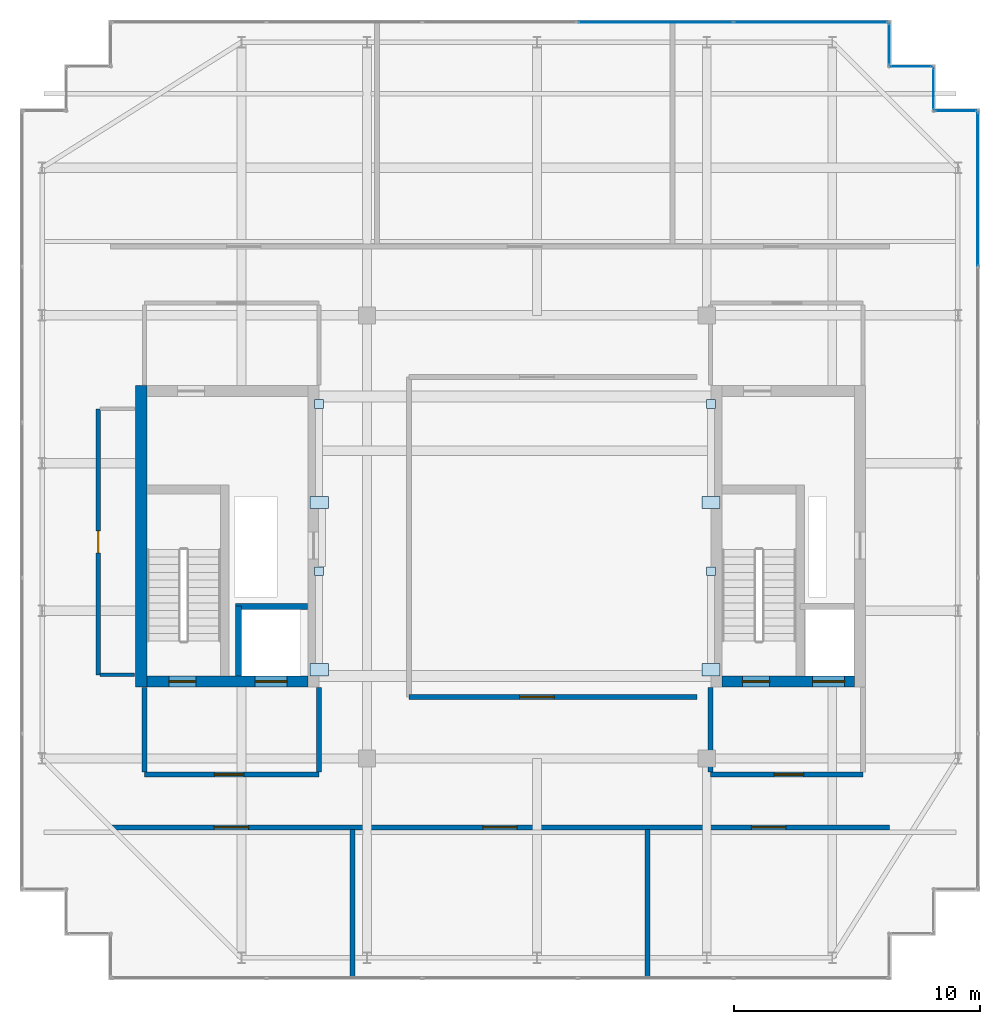
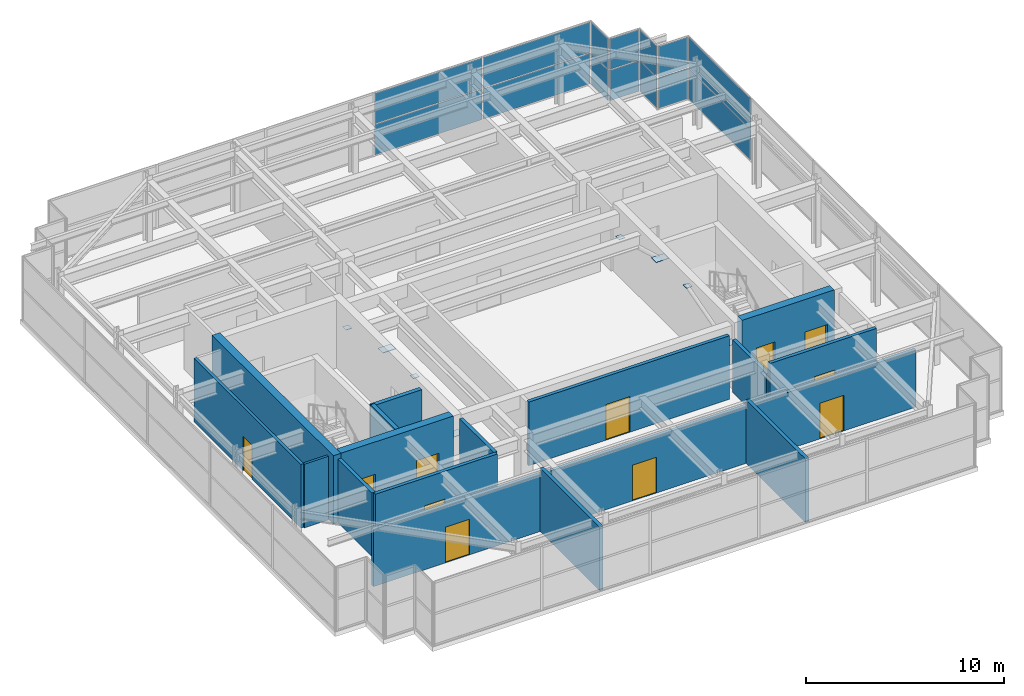
# One storey, part 30 of 32: 22 plates, 16 walls, 11 doors, 11 openings, 6 elements without a shape of their own.
"""IFC4 building model written with IfcOpenShell, lengths in metres."""

from ifc_helpers import new_model, si_unit, direction, frame, frame_2d, origin, origin_2d, place, context, subcontext, project, spatial, rectangle, extrude, source, transform, mapped, material, layer, layer_set, type_object, element, fill, aggregate, save


model = new_model("IFC4")

# Units and contexts
model_context = context("Model", 3, precision=1e-05, world=origin(), true_north=direction((0.0, 1.0)))
body_context = subcontext(model_context, "Body", "Model", "MODEL_VIEW")
ifc_project = project(units=[si_unit("LENGTHUNIT", "METRE"), si_unit("AREAUNIT", "SQUARE_METRE"), si_unit("VOLUMEUNIT", "CUBIC_METRE"), si_unit("PLANEANGLEUNIT", "RADIAN"), si_unit("MASSUNIT", "GRAM", prefix="KILO")], contexts=[model_context])

# Site, building, storey
site_placement = place(None, origin())
site = spatial("IfcSite", under=ifc_project, at=site_placement, CompositionType="ELEMENT")
building_placement = place(site_placement, origin())
building = spatial("IfcBuilding", under=site, at=building_placement, Name="Khoralis Quay Care Tower", CompositionType="ELEMENT")
storey_placement = place(building_placement, frame((0.0, 0.0, 306.300048828125)))
storey = spatial("IfcBuildingStorey", under=building, at=storey_placement, Name="L80", CompositionType="ELEMENT", Elevation=306.300048828125)

# Plates
ifc_material_1 = material(Name="Steel S355", Category="steel")
ifc_layer_1 = layer(ifc_material_1, 0.02001953125)
ifc_layer_set_1 = layer_set([ifc_layer_1], Name="Steel S355")
plate_type_1 = type_object("IfcPlateType", Name="PLT-CAP-350", PredefinedType="USERDEFINED", material=ifc_layer_set_1)
shared_shape_1 = source(origin(), body_context, "Body", "SweptSolid", [
    extrude(rectangle(XDim=0.35009765625, YDim=0.35009765625, at=origin_2d()), origin(), (0.0, 0.0, 1.0), 0.02001953125),
])
for number, where, z_axis, x_axis, name in (
    (1, (15.14794921875, 19.60009765625, 3.639892578125), (0.0, 0.0, 1.0), (1.0, 0.0, 0.0), "PLT-LNCP-L80-1"),
    (2, (15.14794921875, 26.39990234375, 2.510009765625), (0.0, 0.0, 1.0), (1.0, 0.0, 0.0), "PLT-LNCP-L80-2"),
    (3, (31.072021484375, 19.60009765625, 3.639892578125), (0.0, 0.0, 1.0), (1.0, 0.0, 0.0), "PLT-LNCP-L80-3"),
    (4, (31.072021484375, 26.39990234375, 2.510009765625), (0.0, 0.0, 1.0), (1.0, 0.0, 0.0), "PLT-LNCP-L80-4"),
):
    element("IfcPlate", number, at=place(storey_placement, frame(where, z_axis=z_axis, x_axis=x_axis)), inside=storey, type_object=plate_type_1, Name=name, ObjectType="BASE_PLATE", PredefinedType="USERDEFINED", context=body_context, shape_type="MappedRepresentation", body=[
        mapped(shared_shape_1, transform((0.0, 0.0, 0.0), scale=1.0)),
    ])
ifc_layer_2 = layer(ifc_material_1, 0.02490234375)
ifc_layer_set_2 = layer_set([ifc_layer_2], Name="Steel S355")
plate_type_2 = type_object("IfcPlateType", Name="PLT-NODE-LN1", PredefinedType="USERDEFINED", material=ifc_layer_set_2)
shared_shape_2 = source(origin(), body_context, "Body", "SweptSolid", [
    extrude(rectangle(XDim=0.75, YDim=0.5, at=origin_2d()), origin(), (0.0, 0.0, 1.0), 0.02490234375),
])
for number, where, z_axis, x_axis, name in (
    (5, (15.14794921875, 15.60009765625, 2.507568359375), (0.0, 0.0, 1.0), (1.0, 0.0, 0.0), "PLT-LN1-L80-1"),
    (6, (15.14794921875, 22.39990234375, 3.637451171875), (0.0, 0.0, 1.0), (1.0, 0.0, 0.0), "PLT-LN1-L80-2"),
    (7, (31.072021484375, 15.60009765625, 2.507568359375), (0.0, 0.0, 1.0), (1.0, 0.0, 0.0), "PLT-LN1-L80-3"),
    (8, (31.072021484375, 22.39990234375, 3.637451171875), (0.0, 0.0, 1.0), (1.0, 0.0, 0.0), "PLT-LN1-L80-4"),
):
    element("IfcPlate", number, at=place(storey_placement, frame(where, z_axis=z_axis, x_axis=x_axis)), inside=storey, type_object=plate_type_2, Name=name, ObjectType="GUSSET_PLATE", PredefinedType="USERDEFINED", context=body_context, shape_type="MappedRepresentation", body=[
        mapped(shared_shape_2, transform((0.0, 0.0, 0.0), scale=1.0)),
    ])

# Curtain wall, plates
ifc_material_2 = material(Name="Pale anodised aluminium", Category="aluminium")
ifc_layer_3 = layer(ifc_material_2, 0.199951171875)
ifc_layer_set_3 = layer_set([ifc_layer_3], Name="Pale anodised aluminium")
curtain_wall_type = type_object("IfcCurtainWallType", Name="CW-SYS-LANTERN", PredefinedType="NOTDEFINED", material=ifc_layer_set_3)
curtain_wall_1_placement = place(storey_placement, origin())
curtain_wall_1 = element("IfcCurtainWall", 9, at=curtain_wall_1_placement, inside=storey, type_object=curtain_wall_type, Name="L80 Unitised Curtain Wall CW-LN-L80-06", PredefinedType="NOTDEFINED")
ifc_material_3 = material(Name="Spandrel insulated shadow-box glass", Category="glass")
ifc_layer_4 = layer(ifc_material_3, 0.0439453125)
ifc_layer_set_4 = layer_set([ifc_layer_4], Name="Spandrel insulated shadow-box glass")
plate_type_3 = type_object("IfcPlateType", Name="PNL-SPN-44", PredefinedType="CURTAIN_PANEL", material=ifc_layer_set_4)
shared_shape_3 = source(origin(), body_context, "Body", "SweptSolid", [
    extrude(rectangle(XDim=6.23388671875, YDim=0.028076171875, at=origin_2d()), origin(), (0.0, 0.0, 1.0), 1.8701171875),
])
plate_1_placement = place(storey_placement, frame((41.909912109375, 35.133056640625, 0.059814453125), z_axis=(0.0, 0.0, 1.0), x_axis=(0.0, 1.0, 0.0)))
plate_1 = element("IfcPlate", 10, at=plate_1_placement, type_object=plate_type_3, Name="CW5 panel 5.1", PredefinedType="CURTAIN_PANEL", context=body_context, shape_type="MappedRepresentation", body=[
    mapped(shared_shape_3, transform((0.0, 0.0, 0.0), scale=1.0)),
])
plate_2_placement = place(storey_placement, frame((41.909912109375, 35.133056640625, 1.989990234375), z_axis=(0.0, 0.0, 1.0), x_axis=(0.0, 1.0, 0.0)))
plate_2 = element("IfcPlate", 11, at=plate_2_placement, type_object=plate_type_3, Name="CW5 panel 5.2", PredefinedType="CURTAIN_PANEL", context=body_context, shape_type="MappedRepresentation", body=[
    mapped(shared_shape_3, transform((0.0, 0.0, 0.0), scale=1.0)),
])
aggregate(curtain_wall_1, [plate_1, plate_2])

curtain_wall_2_placement = place(storey_placement, origin())
curtain_wall_2 = element("IfcCurtainWall", 12, at=curtain_wall_2_placement, inside=storey, type_object=curtain_wall_type, Name="L80 Unitised Curtain Wall CW-LN-L80-11", PredefinedType="NOTDEFINED")
plate_3_placement = place(storey_placement, frame((35.133056640625, 41.909912109375, 0.059814453125), z_axis=(0.0, 0.0, 1.0), x_axis=(-1.0, 0.0, 0.0)))
plate_3 = element("IfcPlate", 13, at=plate_3_placement, type_object=plate_type_3, Name="CW5 panel 1.1", PredefinedType="CURTAIN_PANEL", context=body_context, shape_type="MappedRepresentation", body=[
    mapped(shared_shape_3, transform((0.0, 0.0, 0.0), scale=1.0)),
])
plate_4_placement = place(storey_placement, frame((35.133056640625, 41.909912109375, 1.989990234375), z_axis=(0.0, 0.0, 1.0), x_axis=(-1.0, 0.0, 0.0)))
plate_4 = element("IfcPlate", 14, at=plate_4_placement, type_object=plate_type_3, Name="CW5 panel 1.2", PredefinedType="CURTAIN_PANEL", context=body_context, shape_type="MappedRepresentation", body=[
    mapped(shared_shape_3, transform((0.0, 0.0, 0.0), scale=1.0)),
])
shared_shape_4 = source(origin(), body_context, "Body", "SweptSolid", [
    extrude(rectangle(XDim=6.263916015625, YDim=0.028076171875, at=origin_2d()), origin(), (0.0, 0.0, 1.0), 1.8701171875),
])
plate_5_placement = place(storey_placement, frame((28.823974609375, 41.909912109375, 0.059814453125), z_axis=(0.0, 0.0, 1.0), x_axis=(-1.0, 0.0, 0.0)))
plate_5 = element("IfcPlate", 15, at=plate_5_placement, type_object=plate_type_3, Name="CW5 panel 2.1", PredefinedType="CURTAIN_PANEL", context=body_context, shape_type="MappedRepresentation", body=[
    mapped(shared_shape_4, transform((0.0, 0.0, 0.0), scale=1.0)),
])
plate_6_placement = place(storey_placement, frame((28.823974609375, 41.909912109375, 1.989990234375), z_axis=(0.0, 0.0, 1.0), x_axis=(-1.0, 0.0, 0.0)))
plate_6 = element("IfcPlate", 16, at=plate_6_placement, type_object=plate_type_3, Name="CW5 panel 2.2", PredefinedType="CURTAIN_PANEL", context=body_context, shape_type="MappedRepresentation", body=[
    mapped(shared_shape_4, transform((0.0, 0.0, 0.0), scale=1.0)),
])
aggregate(curtain_wall_2, [plate_3, plate_4, plate_5, plate_6])

curtain_wall_3_placement = place(storey_placement, origin())
curtain_wall_3 = element("IfcCurtainWall", 17, at=curtain_wall_3_placement, inside=storey, type_object=curtain_wall_type, Name="L80 Unitised Curtain Wall CW-LN-L80-07", PredefinedType="NOTDEFINED")
shared_shape_5 = source(origin(), body_context, "Body", "SweptSolid", [
    extrude(rectangle(XDim=1.679931640625, YDim=0.028076171875, at=origin_2d()), origin(), (0.0, 0.0, 1.0), 1.8701171875),
])
plate_7_placement = place(storey_placement, frame((41.010009765625, 38.31005859375, 0.059814453125), z_axis=(0.0, 0.0, 1.0), x_axis=(-1.0, 0.0, 0.0)))
plate_7 = element("IfcPlate", 18, at=plate_7_placement, type_object=plate_type_3, Name="CW5 panel 1.1", PredefinedType="CURTAIN_PANEL", context=body_context, shape_type="MappedRepresentation", body=[
    mapped(shared_shape_5, transform((0.0, 0.0, 0.0), scale=1.0)),
])
plate_8_placement = place(storey_placement, frame((41.010009765625, 38.31005859375, 1.989990234375), z_axis=(0.0, 0.0, 1.0), x_axis=(-1.0, 0.0, 0.0)))
plate_8 = element("IfcPlate", 19, at=plate_8_placement, type_object=plate_type_3, Name="CW5 panel 1.2", PredefinedType="CURTAIN_PANEL", context=body_context, shape_type="MappedRepresentation", body=[
    mapped(shared_shape_5, transform((0.0, 0.0, 0.0), scale=1.0)),
])
aggregate(curtain_wall_3, [plate_7, plate_8])

curtain_wall_4_placement = place(storey_placement, origin())
curtain_wall_4 = element("IfcCurtainWall", 20, at=curtain_wall_4_placement, inside=storey, type_object=curtain_wall_type, Name="L80 Unitised Curtain Wall CW-LN-L80-08", PredefinedType="NOTDEFINED")
plate_9_placement = place(storey_placement, frame((40.110107421875, 39.2099609375, 0.059814453125), z_axis=(0.0, 0.0, 1.0), x_axis=(0.0, 1.0, 0.0)))
plate_9 = element("IfcPlate", 21, at=plate_9_placement, type_object=plate_type_3, Name="CW5 panel 1.1", PredefinedType="CURTAIN_PANEL", context=body_context, shape_type="MappedRepresentation", body=[
    mapped(shared_shape_5, transform((0.0, 0.0, 0.0), scale=1.0)),
])
plate_10_placement = place(storey_placement, frame((40.110107421875, 39.2099609375, 1.989990234375), z_axis=(0.0, 0.0, 1.0), x_axis=(0.0, 1.0, 0.0)))
plate_10 = element("IfcPlate", 22, at=plate_10_placement, type_object=plate_type_3, Name="CW5 panel 1.2", PredefinedType="CURTAIN_PANEL", context=body_context, shape_type="MappedRepresentation", body=[
    mapped(shared_shape_5, transform((0.0, 0.0, 0.0), scale=1.0)),
])
aggregate(curtain_wall_4, [plate_9, plate_10])

curtain_wall_5_placement = place(storey_placement, origin())
curtain_wall_5 = element("IfcCurtainWall", 23, at=curtain_wall_5_placement, inside=storey, type_object=curtain_wall_type, Name="L80 Unitised Curtain Wall CW-LN-L80-09", PredefinedType="NOTDEFINED")
plate_11_placement = place(storey_placement, frame((39.2099609375, 40.110107421875, 0.059814453125), z_axis=(0.0, 0.0, 1.0), x_axis=(-1.0, 0.0, 0.0)))
plate_11 = element("IfcPlate", 24, at=plate_11_placement, type_object=plate_type_3, Name="CW5 panel 1.1", PredefinedType="CURTAIN_PANEL", context=body_context, shape_type="MappedRepresentation", body=[
    mapped(shared_shape_5, transform((0.0, 0.0, 0.0), scale=1.0)),
])
plate_12_placement = place(storey_placement, frame((39.2099609375, 40.110107421875, 1.989990234375), z_axis=(0.0, 0.0, 1.0), x_axis=(-1.0, 0.0, 0.0)))
plate_12 = element("IfcPlate", 25, at=plate_12_placement, type_object=plate_type_3, Name="CW5 panel 1.2", PredefinedType="CURTAIN_PANEL", context=body_context, shape_type="MappedRepresentation", body=[
    mapped(shared_shape_5, transform((0.0, 0.0, 0.0), scale=1.0)),
])
aggregate(curtain_wall_5, [plate_11, plate_12])

curtain_wall_6_placement = place(storey_placement, origin())
curtain_wall_6 = element("IfcCurtainWall", 26, at=curtain_wall_6_placement, inside=storey, type_object=curtain_wall_type, Name="L80 Unitised Curtain Wall CW-LN-L80-10", PredefinedType="NOTDEFINED")
plate_13_placement = place(storey_placement, frame((38.31005859375, 41.010009765625, 0.059814453125), z_axis=(0.0, 0.0, 1.0), x_axis=(0.0, 1.0, 0.0)))
plate_13 = element("IfcPlate", 27, at=plate_13_placement, type_object=plate_type_3, Name="CW5 panel 1.1", PredefinedType="CURTAIN_PANEL", context=body_context, shape_type="MappedRepresentation", body=[
    mapped(shared_shape_5, transform((0.0, 0.0, 0.0), scale=1.0)),
])
plate_14_placement = place(storey_placement, frame((38.31005859375, 41.010009765625, 1.989990234375), z_axis=(0.0, 0.0, 1.0), x_axis=(0.0, 1.0, 0.0)))
plate_14 = element("IfcPlate", 28, at=plate_14_placement, type_object=plate_type_3, Name="CW5 panel 1.2", PredefinedType="CURTAIN_PANEL", context=body_context, shape_type="MappedRepresentation", body=[
    mapped(shared_shape_5, transform((0.0, 0.0, 0.0), scale=1.0)),
])
aggregate(curtain_wall_6, [plate_13, plate_14])

# Wall, opening, door
ifc_material_4 = material(Name="Gypsum plasterboard on acoustic metal stud")
ifc_layer_5 = layer(ifc_material_4, 0.199951171875)
ifc_layer_set_5 = layer_set([ifc_layer_5], Name="Gypsum plasterboard on acoustic metal stud")
wall_type_1 = type_object("IfcWallType", Name="WL-COMP-200", PredefinedType="PARTITIONING", material=ifc_layer_set_5)
wall_1_placement = place(storey_placement, frame((8.050048828125, 11.35009765625, 0.0), z_axis=(0.0, 0.0, 1.0), x_axis=(1.0, 0.0, 0.0)))
wall_1 = element("IfcWall", 29, at=wall_1_placement, inside=storey, type_object=wall_type_1, Name="L80 West Firefighting Lobby South Wall", PredefinedType="PARTITIONING", context=body_context, shape_type="SweptSolid", body=[
    extrude(rectangle(XDim=7.099853515625, YDim=0.199951171875, at=frame_2d((3.5498046875, 0.0))), origin(), (0.0, 0.0, 1.0), 3.919921875),
])
opening_1_placement = place(wall_1_placement, frame((2.846435546875, 0.0, 0.0)))
opening_1 = element("IfcOpeningElement", 30, at=opening_1_placement, cuts=wall_1, Name="Opening FD1", PredefinedType="OPENING", context=body_context, shape_type="SweptSolid", body=[
    extrude(rectangle(XDim=1.199951171875, YDim=2.199951171875, at=frame_2d((0.60009765625, 1.10009765625))), frame((0.0, 0.10986328125, 0.0), z_axis=(0.0, -1.0, 0.0), x_axis=(1.0, 0.0, 0.0)), (0.0, 0.0, 1.0), 0.219970703125),
])
ifc_material_5 = material(Name="Fire-rated painted steel", Category="steel")
door_type_1 = type_object("IfcDoorType", Name="DR-FFL-1200X2200", OperationType="NOTDEFINED", PredefinedType="DOOR", material=ifc_material_5)
shared_shape_6 = source(origin(), body_context, "Body", "SweptSolid", [
    extrude(rectangle(XDim=1.199951171875, YDim=2.199951171875, at=frame_2d((0.60009765625, 1.10009765625))), frame((0.0, 0.02490234375, 0.0), z_axis=(0.0, -1.0, 0.0), x_axis=(1.0, 0.0, 0.0)), (0.0, 0.0, 1.0), 0.050048828125),
])
door_1_placement = place(opening_1_placement, origin())
door_1 = element("IfcDoor", 31, at=door_1_placement, inside=storey, type_object=door_type_1, Name="L80 West Firefighting Lobby Fire Door", OperationType="SINGLE_SWING_RIGHT", OverallHeight=2.199951171875, OverallWidth=1.199951171875, PredefinedType="DOOR", context=body_context, shape_type="MappedRepresentation", body=[
    mapped(shared_shape_6, transform((0.0, 0.0, 0.0), scale=1.0)),
])
fill(opening_1, door_1)

# Walls
for number, where, z_axis, x_axis, name in (
    (32, (8.050048828125, 11.445068359375, 0.0), (0.0, 0.0, 1.0), (0.0, 1.0, 0.0), "L80 West Firefighting Lobby West Wall"),
    (33, (15.14990234375, 11.445068359375, 0.0), (0.0, 0.0, 1.0), (0.0, 1.0, 0.0), "L80 West Firefighting Lobby East Wall"),
):
    element("IfcWall", number, at=place(storey_placement, frame(where, z_axis=z_axis, x_axis=x_axis)), inside=storey, type_object=wall_type_1, Name=name, PredefinedType="PARTITIONING", context=body_context, shape_type="SweptSolid", body=[
        extrude(rectangle(XDim=3.434814453125, YDim=0.199951171875, at=frame_2d((1.71728515625, 0.0))), origin(), (0.0, 0.0, 1.0), 3.919921875),
    ])

# Wall, opening, door
wall_2_placement = place(storey_placement, frame((31.050048828125, 11.35009765625, 0.0), z_axis=(0.0, 0.0, 1.0), x_axis=(1.0, 0.0, 0.0)))
wall_2 = element("IfcWall", 34, at=wall_2_placement, inside=storey, type_object=wall_type_1, Name="L80 East Firefighting Lobby South Wall", PredefinedType="PARTITIONING", context=body_context, shape_type="SweptSolid", body=[
    extrude(rectangle(XDim=6.199951171875, YDim=0.199951171875, at=frame_2d((3.10009765625, 0.0))), origin(), (0.0, 0.0, 1.0), 3.919921875),
])
opening_2_placement = place(wall_2_placement, frame((2.585693359375, 0.0, 0.0)))
opening_2 = element("IfcOpeningElement", 35, at=opening_2_placement, cuts=wall_2, Name="Opening FD1", PredefinedType="OPENING", context=body_context, shape_type="SweptSolid", body=[
    extrude(rectangle(XDim=1.199951171875, YDim=2.199951171875, at=frame_2d((0.60009765625, 1.10009765625))), frame((0.0, 0.10986328125, 0.0), z_axis=(0.0, -1.0, 0.0), x_axis=(1.0, 0.0, 0.0)), (0.0, 0.0, 1.0), 0.219970703125),
])
door_2_placement = place(opening_2_placement, origin())
door_2 = element("IfcDoor", 36, at=door_2_placement, inside=storey, type_object=door_type_1, Name="L80 East Firefighting Lobby Fire Door", OperationType="SINGLE_SWING_LEFT", OverallHeight=2.199951171875, OverallWidth=1.199951171875, PredefinedType="DOOR", context=body_context, shape_type="MappedRepresentation", body=[
    mapped(shared_shape_6, transform((0.0, 0.0, 0.0), scale=1.0)),
])
fill(opening_2, door_2)

# Wall
wall_3_placement = place(storey_placement, frame((31.050048828125, 11.445068359375, 0.0), z_axis=(0.0, 0.0, 1.0), x_axis=(0.0, 1.0, 0.0)))
element("IfcWall", 37, at=wall_3_placement, inside=storey, type_object=wall_type_1, Name="L80 East Firefighting Lobby West Wall", PredefinedType="PARTITIONING", context=body_context, shape_type="SweptSolid", body=[
    extrude(rectangle(XDim=3.434814453125, YDim=0.199951171875, at=frame_2d((1.71728515625, 0.0))), origin(), (0.0, 0.0, 1.0), 3.224853515625),
])

# Wall, openings, doors
wall_4_placement = place(storey_placement, frame((6.679931640625, 9.199951171875, 0.0), z_axis=(0.0, 0.0, 1.0), x_axis=(1.0, 0.0, 0.0)))
wall_4 = element("IfcWall", 38, at=wall_4_placement, inside=storey, type_object=wall_type_1, Name="L80 Plant Corridor South Wall", PredefinedType="PARTITIONING", context=body_context, shape_type="SweptSolid", body=[
    extrude(rectangle(XDim=31.64013671875, YDim=0.199951171875, at=frame_2d((15.820068359375, 0.0))), origin(), (0.0, 0.0, 1.0), 3.512939453125),
])
opening_3_placement = place(wall_4_placement, frame((4.2099609375, 0.0, 0.0)))
opening_3 = element("IfcOpeningElement", 39, at=opening_3_placement, cuts=wall_4, Name="Opening PD1", PredefinedType="OPENING", context=body_context, shape_type="SweptSolid", body=[
    extrude(rectangle(XDim=1.39990234375, YDim=2.199951171875, at=frame_2d((0.699951171875, 1.10009765625))), frame((0.0, 0.10986328125, 0.0), z_axis=(0.0, -1.0, 0.0), x_axis=(1.0, 0.0, 0.0)), (0.0, 0.0, 1.0), 0.219970703125),
])
opening_4_placement = place(wall_4_placement, frame((15.1201171875, 0.0, 0.0)))
opening_4 = element("IfcOpeningElement", 40, at=opening_4_placement, cuts=wall_4, Name="Opening PD1", PredefinedType="OPENING", context=body_context, shape_type="SweptSolid", body=[
    extrude(rectangle(XDim=1.39990234375, YDim=2.199951171875, at=frame_2d((0.699951171875, 1.10009765625))), frame((0.0, 0.10986328125, 0.0), z_axis=(0.0, -1.0, 0.0), x_axis=(1.0, 0.0, 0.0)), (0.0, 0.0, 1.0), 0.219970703125),
])
opening_5_placement = place(wall_4_placement, frame((26.030029296875, 0.0, 0.0)))
opening_5 = element("IfcOpeningElement", 41, at=opening_5_placement, cuts=wall_4, Name="Opening PD1", PredefinedType="OPENING", context=body_context, shape_type="SweptSolid", body=[
    extrude(rectangle(XDim=1.39990234375, YDim=2.199951171875, at=frame_2d((0.699951171875, 1.10009765625))), frame((0.0, 0.10986328125, 0.0), z_axis=(0.0, -1.0, 0.0), x_axis=(1.0, 0.0, 0.0)), (0.0, 0.0, 1.0), 0.219970703125),
])
door_type_2 = type_object("IfcDoorType", Name="DR-PLANT-1400X2200", OperationType="NOTDEFINED", PredefinedType="DOOR", material=ifc_material_5)
shared_shape_7 = source(origin(), body_context, "Body", "SweptSolid", [
    extrude(rectangle(XDim=1.39990234375, YDim=2.199951171875, at=frame_2d((0.699951171875, 1.10009765625))), frame((0.0, 0.02490234375, 0.0), z_axis=(0.0, -1.0, 0.0), x_axis=(1.0, 0.0, 0.0)), (0.0, 0.0, 1.0), 0.050048828125),
])
door_3_placement = place(opening_3_placement, frame((1.39990234375, 0.0, 0.0), z_axis=(0.0, 0.0, 1.0), x_axis=(-1.0, 0.0, 0.0)))
door_3 = element("IfcDoor", 42, at=door_3_placement, inside=storey, type_object=door_type_2, Name="L80 District Chiller Plant Room Plant Door", OperationType="DOUBLE_DOOR_SINGLE_SWING", OverallHeight=2.199951171875, OverallWidth=1.39990234375, PredefinedType="DOOR", context=body_context, shape_type="MappedRepresentation", body=[
    mapped(shared_shape_7, transform((0.0, 0.0, 0.0), scale=1.0)),
])
fill(opening_3, door_3)
door_4_placement = place(opening_4_placement, frame((1.39990234375, 0.0, 0.0), z_axis=(0.0, 0.0, 1.0), x_axis=(-1.0, 0.0, 0.0)))
door_4 = element("IfcDoor", 43, at=door_4_placement, inside=storey, type_object=door_type_2, Name="L80 Heat Recovery Plant Room Plant Door", OperationType="DOUBLE_DOOR_SINGLE_SWING", OverallHeight=2.199951171875, OverallWidth=1.39990234375, PredefinedType="DOOR", context=body_context, shape_type="MappedRepresentation", body=[
    mapped(shared_shape_7, transform((0.0, 0.0, 0.0), scale=1.0)),
])
fill(opening_4, door_4)
door_5_placement = place(opening_5_placement, frame((1.39990234375, 0.0, 0.0), z_axis=(0.0, 0.0, 1.0), x_axis=(-1.0, 0.0, 0.0)))
door_5 = element("IfcDoor", 44, at=door_5_placement, inside=storey, type_object=door_type_2, Name="L80 Domestic Water Tank Room Plant Door", OperationType="DOUBLE_DOOR_SINGLE_SWING", OverallHeight=2.199951171875, OverallWidth=1.39990234375, PredefinedType="DOOR", context=body_context, shape_type="MappedRepresentation", body=[
    mapped(shared_shape_7, transform((0.0, 0.0, 0.0), scale=1.0)),
])
fill(opening_5, door_5)

# Wall, opening, door
wall_5_placement = place(storey_placement, frame((18.800048828125, 14.5, 0.0), z_axis=(0.0, 0.0, 1.0), x_axis=(1.0, 0.0, 0.0)))
wall_5 = element("IfcWall", 45, at=wall_5_placement, inside=storey, type_object=wall_type_1, Name="L80 Central Plant South Wall", PredefinedType="PARTITIONING", context=body_context, shape_type="SweptSolid", body=[
    extrude(rectangle(XDim=11.699951171875, YDim=0.199951171875, at=frame_2d((5.85009765625, 0.0))), origin(), (0.0, 0.0, 1.0), 3.919921875),
])
opening_6_placement = place(wall_5_placement, frame((4.5, 0.0, 0.0)))
opening_6 = element("IfcOpeningElement", 46, at=opening_6_placement, cuts=wall_5, Name="Opening PD1", PredefinedType="OPENING", context=body_context, shape_type="SweptSolid", body=[
    extrude(rectangle(XDim=1.39990234375, YDim=2.199951171875, at=frame_2d((0.699951171875, 1.10009765625))), frame((0.0, 0.10986328125, 0.0), z_axis=(0.0, -1.0, 0.0), x_axis=(1.0, 0.0, 0.0)), (0.0, 0.0, 1.0), 0.219970703125),
])
door_6_placement = place(opening_6_placement, origin())
door_6 = element("IfcDoor", 47, at=door_6_placement, inside=storey, type_object=door_type_2, Name="L80 Central Plant South Door", OperationType="DOUBLE_DOOR_SINGLE_SWING", OverallHeight=2.199951171875, OverallWidth=1.39990234375, PredefinedType="DOOR", context=body_context, shape_type="MappedRepresentation", body=[
    mapped(shared_shape_7, transform((0.0, 0.0, 0.0), scale=1.0)),
])
fill(opening_6, door_6)

# Walls
for number, where, z_axis, x_axis, name in (
    (48, (16.5, 3.0849609375, 0.0), (0.0, 0.0, 1.0), (0.0, 1.0, 0.0), "L80 South Plant Divider 1"),
    (49, (28.5, 3.0849609375, 0.0), (0.0, 0.0, 1.0), (0.0, 1.0, 0.0), "L80 South Plant Divider 2"),
):
    element("IfcWall", number, at=place(storey_placement, frame(where, z_axis=z_axis, x_axis=x_axis)), inside=storey, type_object=wall_type_1, Name=name, PredefinedType="PARTITIONING", context=body_context, shape_type="SweptSolid", body=[
        extrude(rectangle(XDim=6.02001953125, YDim=0.199951171875, at=frame_2d((3.010009765625, 0.0))), origin(), (0.0, 0.0, 1.0), 3.919921875),
    ])
ifc_material_6 = material(Name="Concrete C50/60", Category="concrete")
ifc_layer_6 = layer(ifc_material_6, 0.449951171875)
ifc_layer_set_6 = layer_set([ifc_layer_6], Name="Concrete C50/60")
wall_type_2 = type_object("IfcWallType", Name="WL-CORE-450", PredefinedType="SHEAR", material=ifc_layer_set_6)
wall_6_placement = place(storey_placement, frame((7.925048828125, 14.89990234375, 0.0), z_axis=(0.0, 0.0, 1.0), x_axis=(0.0, 1.0, 0.0)))
element("IfcWall", 50, at=wall_6_placement, inside=storey, type_object=wall_type_2, Name="L80 WCORE West Shear Wall", PredefinedType="SHEAR", context=body_context, shape_type="SweptSolid", body=[
    extrude(rectangle(XDim=12.25, YDim=0.449951171875, at=frame_2d((6.125, 0.0))), origin(), (0.0, 0.0, 1.0), 4.199951171875),
])

# Wall, openings, doors
wall_7_placement = place(storey_placement, frame((8.14990234375, 15.125, 0.0), z_axis=(0.0, 0.0, 1.0), x_axis=(1.0, 0.0, 0.0)))
wall_7 = element("IfcWall", 51, at=wall_7_placement, inside=storey, type_object=wall_type_2, Name="L80 WCORE South Shear Wall", PredefinedType="SHEAR", context=body_context, shape_type="SweptSolid", body=[
    extrude(rectangle(XDim=6.550048828125, YDim=0.449951171875, at=frame_2d((3.27490234375, 0.0))), origin(), (0.0, 0.0, 1.0), 4.199951171875),
])
opening_7_placement = place(wall_7_placement, frame((0.89990234375, 0.0, 0.0)))
opening_7 = element("IfcOpeningElement", 52, at=opening_7_placement, cuts=wall_7, Name="Opening SD1", PredefinedType="OPENING", context=body_context, shape_type="SweptSolid", body=[
    extrude(rectangle(XDim=1.10009765625, YDim=2.199951171875, at=frame_2d((0.550048828125, 1.10009765625))), frame((0.0, 0.23486328125, 0.0), z_axis=(0.0, -1.0, 0.0), x_axis=(1.0, 0.0, 0.0)), (0.0, 0.0, 1.0), 0.469970703125),
])
opening_8_placement = place(wall_7_placement, frame((4.39990234375, 0.0, 0.0)))
opening_8 = element("IfcOpeningElement", 53, at=opening_8_placement, cuts=wall_7, Name="Opening LD2", PredefinedType="OPENING", context=body_context, shape_type="SweptSolid", body=[
    extrude(rectangle(XDim=1.300048828125, YDim=2.199951171875, at=frame_2d((0.64990234375, 1.10009765625))), frame((0.0, 0.23486328125, 0.0), z_axis=(0.0, -1.0, 0.0), x_axis=(1.0, 0.0, 0.0)), (0.0, 0.0, 1.0), 0.469970703125),
])
door_type_3 = type_object("IfcDoorType", Name="DR-STAIR-1100X2200", OperationType="NOTDEFINED", PredefinedType="DOOR", material=ifc_material_5)
shared_shape_8 = source(origin(), body_context, "Body", "SweptSolid", [
    extrude(rectangle(XDim=1.10009765625, YDim=2.199951171875, at=frame_2d((0.550048828125, 1.10009765625))), frame((0.0, 0.02490234375, 0.0), z_axis=(0.0, -1.0, 0.0), x_axis=(1.0, 0.0, 0.0)), (0.0, 0.0, 1.0), 0.050048828125),
])
door_7_placement = place(opening_7_placement, origin())
door_7 = element("IfcDoor", 54, at=door_7_placement, inside=storey, type_object=door_type_3, Name="L80 Stair ST-T1 Fire Door", OperationType="SINGLE_SWING_RIGHT", OverallHeight=2.199951171875, OverallWidth=1.10009765625, PredefinedType="DOOR", context=body_context, shape_type="MappedRepresentation", body=[
    mapped(shared_shape_8, transform((0.0, 0.0, 0.0), scale=1.0)),
])
fill(opening_7, door_7)
ifc_material_7 = material(Name="Brushed stainless steel", Category="steel")
door_type_4 = type_object("IfcDoorType", Name="DR-LIFT-1300X2200", OperationType="SLIDING_TO_RIGHT", PredefinedType="DOOR", material=ifc_material_7)
shared_shape_9 = source(origin(), body_context, "Body", "SweptSolid", [
    extrude(rectangle(XDim=1.300048828125, YDim=2.199951171875, at=frame_2d((0.64990234375, 1.10009765625))), frame((0.0, 0.02490234375, 0.0), z_axis=(0.0, -1.0, 0.0), x_axis=(1.0, 0.0, 0.0)), (0.0, 0.0, 1.0), 0.050048828125),
])
door_8_placement = place(opening_8_placement, origin())
door_8 = element("IfcDoor", 55, at=door_8_placement, inside=storey, type_object=door_type_4, Name="L80 Firefighting Lift FFL-1 Landing Door", OperationType="SLIDING_TO_RIGHT", OverallHeight=2.199951171875, OverallWidth=1.300048828125, PredefinedType="DOOR", context=body_context, shape_type="MappedRepresentation", body=[
    mapped(shared_shape_9, transform((0.0, 0.0, 0.0), scale=1.0)),
])
fill(opening_8, door_8)

wall_8_placement = place(storey_placement, frame((31.52001953125, 15.125, 0.0), z_axis=(0.0, 0.0, 1.0), x_axis=(1.0, 0.0, 0.0)))
wall_8 = element("IfcWall", 56, at=wall_8_placement, inside=storey, type_object=wall_type_2, Name="L80 ECORE South Shear Wall", PredefinedType="SHEAR", context=body_context, shape_type="SweptSolid", body=[
    extrude(rectangle(XDim=5.3798828125, YDim=0.449951171875, at=frame_2d((2.68994140625, 0.0))), origin(), (0.0, 0.0, 1.0), 4.199951171875),
])
opening_9_placement = place(wall_8_placement, frame((0.830078125, 0.0, 0.0)))
opening_9 = element("IfcOpeningElement", 57, at=opening_9_placement, cuts=wall_8, Name="Opening SD1", PredefinedType="OPENING", context=body_context, shape_type="SweptSolid", body=[
    extrude(rectangle(XDim=1.10009765625, YDim=2.199951171875, at=frame_2d((0.550048828125, 1.10009765625))), frame((0.0, 0.23486328125, 0.0), z_axis=(0.0, -1.0, 0.0), x_axis=(1.0, 0.0, 0.0)), (0.0, 0.0, 1.0), 0.469970703125),
])
opening_10_placement = place(wall_8_placement, frame((3.679931640625, 0.0, 0.0)))
opening_10 = element("IfcOpeningElement", 58, at=opening_10_placement, cuts=wall_8, Name="Opening LD2", PredefinedType="OPENING", context=body_context, shape_type="SweptSolid", body=[
    extrude(rectangle(XDim=1.300048828125, YDim=2.199951171875, at=frame_2d((0.64990234375, 1.10009765625))), frame((0.0, 0.23486328125, 0.0), z_axis=(0.0, -1.0, 0.0), x_axis=(1.0, 0.0, 0.0)), (0.0, 0.0, 1.0), 0.469970703125),
])
door_9_placement = place(opening_9_placement, origin())
door_9 = element("IfcDoor", 59, at=door_9_placement, inside=storey, type_object=door_type_3, Name="L80 Stair ST-T2 Fire Door", OperationType="SINGLE_SWING_LEFT", OverallHeight=2.199951171875, OverallWidth=1.10009765625, PredefinedType="DOOR", context=body_context, shape_type="MappedRepresentation", body=[
    mapped(shared_shape_8, transform((0.0, 0.0, 0.0), scale=1.0)),
])
fill(opening_9, door_9)
door_10_placement = place(opening_10_placement, origin())
door_10 = element("IfcDoor", 60, at=door_10_placement, inside=storey, type_object=door_type_4, Name="L80 Firefighting Lift FFL-2 Landing Door", OperationType="SLIDING_TO_RIGHT", OverallHeight=2.199951171875, OverallWidth=1.300048828125, PredefinedType="DOOR", context=body_context, shape_type="MappedRepresentation", body=[
    mapped(shared_shape_9, transform((0.0, 0.0, 0.0), scale=1.0)),
])
fill(opening_10, door_10)

# Wall, opening, door
ifc_layer_7 = layer(ifc_material_4, 0.1650390625)
ifc_layer_set_7 = layer_set([ifc_layer_7], Name="Gypsum plasterboard on acoustic metal stud")
wall_type_3 = type_object("IfcWallType", Name="WL-CORR-165", PredefinedType="PARTITIONING", material=ifc_layer_set_7)
wall_9_placement = place(storey_placement, frame((6.179931640625, 15.39990234375, 0.0), z_axis=(0.0, 0.0, 1.0), x_axis=(0.0, 1.0, 0.0)))
wall_9 = element("IfcWall", 61, at=wall_9_placement, inside=storey, type_object=wall_type_3, Name="L80 West Core Service Flank Wall", PredefinedType="PARTITIONING", context=body_context, shape_type="SweptSolid", body=[
    extrude(rectangle(XDim=10.800048828125, YDim=0.1650390625, at=frame_2d((5.39990234375, 0.0))), origin(), (0.0, 0.0, 1.0), 3.919921875),
])
opening_11_placement = place(wall_9_placement, frame((4.949951171875, 0.0, 0.0)))
opening_11 = element("IfcOpeningElement", 62, at=opening_11_placement, cuts=wall_9, Name="Opening WD1", PredefinedType="OPENING", context=body_context, shape_type="SweptSolid", body=[
    extrude(rectangle(XDim=0.89990234375, YDim=2.10009765625, at=frame_2d((0.449951171875, 1.050048828125))), frame((0.0, 0.092529296875, 0.0), z_axis=(0.0, -1.0, 0.0), x_axis=(1.0, 0.0, 0.0)), (0.0, 0.0, 1.0), 0.18505859375),
])
ifc_material_8 = material(Name="Acoustic hardwood timber", Category="wood")
door_type_5 = type_object("IfcDoorType", Name="DR-BATH-900X2100", OperationType="NOTDEFINED", PredefinedType="DOOR", material=ifc_material_8)
shared_shape_10 = source(origin(), body_context, "Body", "SweptSolid", [
    extrude(rectangle(XDim=0.89990234375, YDim=2.10009765625, at=frame_2d((0.449951171875, 1.050048828125))), frame((0.0, 0.02490234375, 0.0), z_axis=(0.0, -1.0, 0.0), x_axis=(1.0, 0.0, 0.0)), (0.0, 0.0, 1.0), 0.050048828125),
])
door_11_placement = place(opening_11_placement, frame((0.89990234375, 0.0, 0.0), z_axis=(0.0, 0.0, 1.0), x_axis=(-1.0, 0.0, 0.0)))
door_11 = element("IfcDoor", 63, at=door_11_placement, inside=storey, type_object=door_type_5, Name="L80 Housekeeping & Public Accessible WC Door", OperationType="SINGLE_SWING_LEFT", OverallHeight=2.10009765625, OverallWidth=0.89990234375, PredefinedType="DOOR", context=body_context, shape_type="MappedRepresentation", body=[
    mapped(shared_shape_10, transform((0.0, 0.0, 0.0), scale=1.0)),
])
fill(opening_11, door_11)

# Walls
ifc_layer_8 = layer(ifc_material_4, 0.239990234375)
ifc_layer_set_8 = layer_set([ifc_layer_8], Name="Gypsum plasterboard on acoustic metal stud")
wall_type_4 = type_object("IfcWallType", Name="WL-SHAFT-240", PredefinedType="PARTITIONING", material=ifc_layer_set_8)
wall_10_placement = place(storey_placement, frame((11.8798828125, 15.35009765625, 0.0), z_axis=(0.0, 0.0, 1.0), x_axis=(0.0, 1.0, 0.0)))
element("IfcWall", 64, at=wall_10_placement, inside=storey, type_object=wall_type_4, Name="L80 FFL-1 Shaft Wall West", PredefinedType="PARTITIONING", context=body_context, shape_type="SweptSolid", body=[
    extrude(rectangle(XDim=2.849853515625, YDim=0.239990234375, at=frame_2d((1.4248046875, 0.0))), origin(), (0.0, 0.0, 1.0), 3.919921875),
])
wall_11_placement = place(storey_placement, frame((11.760009765625, 18.169921875, 0.0), z_axis=(0.0, 0.0, 1.0), x_axis=(1.0, 0.0, 0.0)))
element("IfcWall", 65, at=wall_11_placement, inside=storey, type_object=wall_type_4, Name="L80 FFL-1 Shaft Wall North", PredefinedType="PARTITIONING", context=body_context, shape_type="SweptSolid", body=[
    extrude(rectangle(XDim=2.919921875, YDim=0.239990234375, at=frame_2d((1.4599609375, 0.0))), origin(), (0.0, 0.0, 1.0), 3.919921875),
])
ifc_layer_9 = layer(ifc_material_4, 0.139892578125)
ifc_layer_set_9 = layer_set([ifc_layer_9], Name="Gypsum plasterboard on acoustic metal stud")
wall_type_5 = type_object("IfcWallType", Name="WL-UNIT-140", PredefinedType="PARTITIONING", material=ifc_layer_set_9)
wall_12_placement = place(storey_placement, frame((6.257568359375, 15.39990234375, 0.0), z_axis=(0.0, 0.0, 1.0), x_axis=(1.0, 0.0, 0.0)))
element("IfcWall", 66, at=wall_12_placement, inside=storey, type_object=wall_type_5, Name="L80 West Flank South Cap", PredefinedType="PARTITIONING", context=body_context, shape_type="SweptSolid", body=[
    extrude(rectangle(XDim=1.40234375, YDim=0.139892578125, at=frame_2d((0.701171875, 0.0))), origin(), (0.0, 0.0, 1.0), 3.919921875),
])

save(model, "model.ifc")
